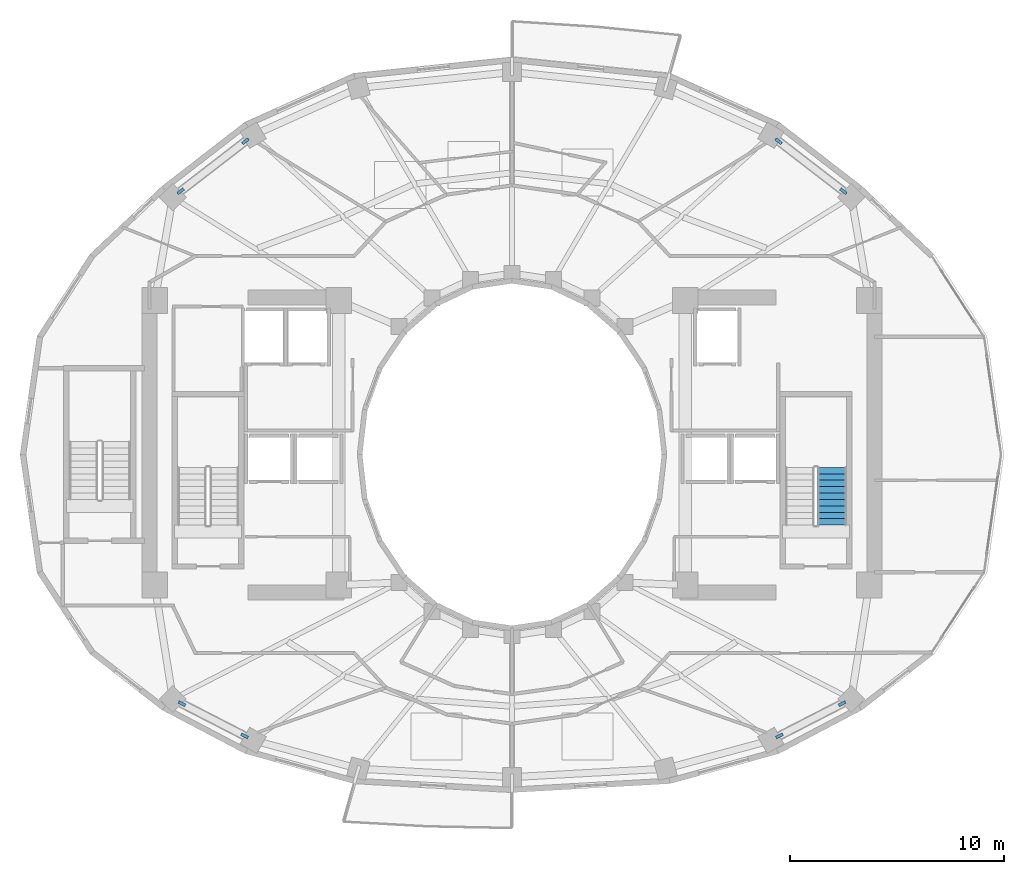
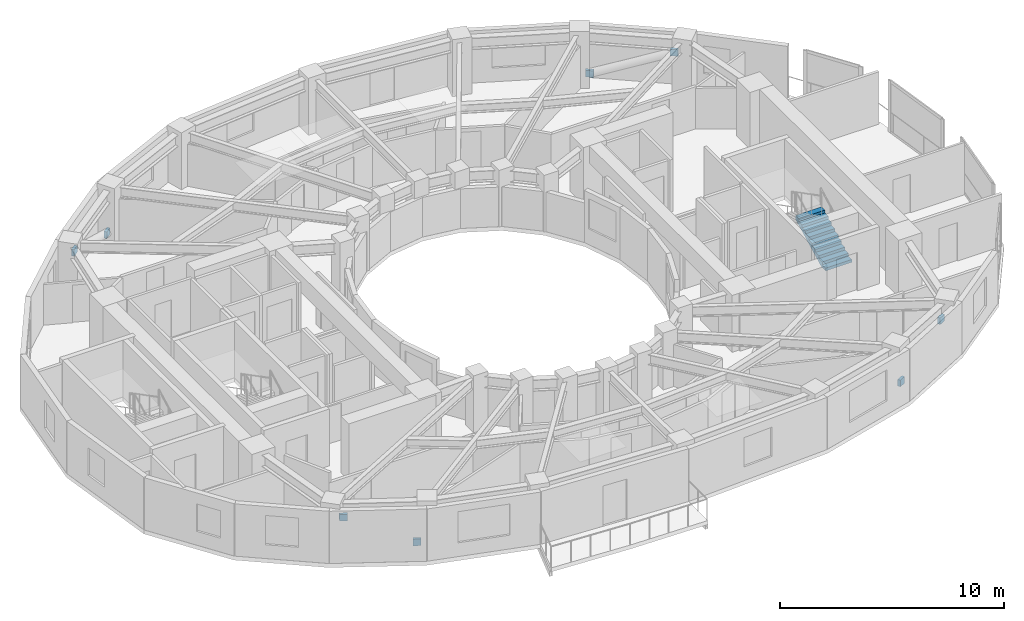
# One storey, part 10 of 13: 8 discrete accessories, 1 stair flight, 1 element without a shape of its own.
"""IFC4 building model written with IfcOpenShell, lengths in metres."""

import ifcopenshell
import ifcopenshell.guid

model = None  # the IFC model being written
_history = None  # IfcOwnerHistory: only IFC2X3 demands one
_inside = {}  # id of a spatial element -> (the spatial element, [elements in it])
_under = {}  # id of a project, library or spatial element -> (it, [spatial elements below it])
_declared = {}  # id of a project -> (the project, [libraries it declares])
_typed = {}  # id of a type object -> (the type object, [elements of that type])
_made_of = {}  # id of a material, layer set ... -> (it, [elements and type objects made of it])


def new_model(schema):
    """Start an empty IFC model of exactly this schema.

    Asked for "IFC4X3", IfcOpenShell would pick the latest addendum, in which some entities
    have other attributes; the version numbers below select the first issue.
    IFC2X3 requires an IfcOwnerHistory on every rooted entity: one is made here for all.
    """
    global model, _history
    if schema == "IFC4X3":
        model = ifcopenshell.file(schema_version=(4, 3, 0, 0))
    else:
        model = ifcopenshell.file(schema=schema)
    _inside.clear()
    _under.clear()
    _declared.clear()
    _typed.clear()
    _made_of.clear()
    _history = None
    if model.schema == "IFC2X3":
        org = make("IfcOrganization", Name="unknown")
        user = make(
            "IfcPersonAndOrganization",
            ThePerson=make("IfcPerson", FamilyName="unknown"),
            TheOrganization=org,
        )
        app = make(
            "IfcApplication",
            ApplicationDeveloper=org,
            Version="unknown",
            ApplicationFullName="unknown",
            ApplicationIdentifier="unknown",
        )
        _history = make(
            "IfcOwnerHistory",
            OwningUser=user,
            OwningApplication=app,
            ChangeAction="ADDED",
            CreationDate=0,
        )
    return model


def make(cls, **values):
    """One entity of the class cls with the attributes given. An attribute that is None is left unset."""
    return model.create_entity(
        cls, **{name: value for name, value in values.items() if value is not None}
    )


def rooted(cls, **values):
    """An entity with a GlobalId (a new one), such as an element, a storey or a relation."""
    return make(cls, GlobalId=ifcopenshell.guid.new(), OwnerHistory=_history, **values)


def si_unit(unit_type, name, prefix=None):
    """IfcSIUnit, for example si_unit("LENGTHUNIT", "METRE", prefix="MILLI")."""
    return make("IfcSIUnit", UnitType=unit_type, Prefix=prefix, Name=name)


def assignment(units):
    """IfcUnitAssignment: the units of a project."""
    return None if units is None else make("IfcUnitAssignment", Units=units)


def point(xyz):
    """IfcCartesianPoint."""
    return None if xyz is None else make("IfcCartesianPoint", Coordinates=xyz)


def direction(xyz):
    """IfcDirection."""
    return None if xyz is None else make("IfcDirection", DirectionRatios=xyz)


def frame(location, z_axis=None, x_axis=None):
    """IfcAxis2Placement3D, a coordinate frame: its origin and axes. An axis left out is left unset."""
    return make(
        "IfcAxis2Placement3D",
        Location=point(location),
        Axis=direction(z_axis),
        RefDirection=direction(x_axis),
    )


def frame_2d(location, x_axis=None):
    """IfcAxis2Placement2D, a coordinate frame in the plane: its origin and x axis."""
    return make(
        "IfcAxis2Placement2D", Location=point(location), RefDirection=direction(x_axis)
    )


def origin():
    """The frame at (0, 0, 0) with its axes left unset."""
    return frame((0.0, 0.0, 0.0))


def origin_2d():
    """The frame at (0, 0) in the plane with its x axis left unset."""
    return frame_2d((0.0, 0.0))


def place(relative_to, where):
    """IfcLocalPlacement: puts the frame where relative to a parent placement (None: the world)."""
    return make(
        "IfcLocalPlacement", PlacementRelTo=relative_to, RelativePlacement=where
    )


def context(
    kind, dimensions, precision=None, world=None, true_north=None, identifier=None
):
    """IfcGeometricRepresentationContext, for example the 3D "Model" context."""
    return make(
        "IfcGeometricRepresentationContext",
        ContextIdentifier=identifier,
        ContextType=kind,
        CoordinateSpaceDimension=dimensions,
        Precision=precision,
        WorldCoordinateSystem=world,
        TrueNorth=true_north,
    )


def subcontext(parent, identifier, kind, view, scale=None):
    """IfcGeometricRepresentationSubContext, for example "Body" below "Model"."""
    return make(
        "IfcGeometricRepresentationSubContext",
        ContextIdentifier=identifier,
        ContextType=kind,
        ParentContext=parent,
        TargetScale=scale,
        TargetView=view,
    )


def project(units=None, contexts=None):
    """IfcProject with its units and contexts."""
    return rooted(
        "IfcProject",
        Name="project",
        RepresentationContexts=contexts,
        UnitsInContext=assignment(units),
    )


def spatial(cls, under=None, at=None, **own):
    """A site, building, storey or space (cls), placed at a placement, below another one or the project."""
    s = rooted(cls, ObjectPlacement=at, **own)
    if under is not None:
        _under.setdefault(under.id(), (under, []))[1].append(s)
    return s


def polyline(points):
    """IfcPolyline through the points."""
    return make("IfcPolyline", Points=[point(p) for p in points])


def profile(cls, at=None, kind="AREA", **sizes):
    """A parametric profile (cls). Its sizes go by their IFC names, for example OverallWidth=200.0."""
    return make(cls, ProfileType=kind, Position=at, **sizes)


def rectangle(**sizes):
    """IfcRectangleProfileDef."""
    return profile("IfcRectangleProfileDef", **sizes)


def outline(outer, holes=None, kind="AREA"):
    """IfcArbitraryClosedProfileDef: a profile drawn as a closed curve; with holes, ...WithVoids."""
    if holes is None:
        return make("IfcArbitraryClosedProfileDef", ProfileType=kind, OuterCurve=outer)
    return make(
        "IfcArbitraryProfileDefWithVoids",
        ProfileType=kind,
        OuterCurve=outer,
        InnerCurves=holes,
    )


def extrude(swept, where, along, depth):
    """IfcExtrudedAreaSolid: the profile swept, set in the frame where, extruded along a direction by depth."""
    return make(
        "IfcExtrudedAreaSolid",
        SweptArea=swept,
        Position=where,
        ExtrudedDirection=direction(along),
        Depth=depth,
    )


def shape(context_of_items, identifier, shape_type, items):
    """IfcShapeRepresentation: the items that make up one representation, for example the "Body"."""
    return make(
        "IfcShapeRepresentation",
        ContextOfItems=context_of_items,
        RepresentationIdentifier=identifier,
        RepresentationType=shape_type,
        Items=items,
    )


def material(Name=None, Category=None):
    """IfcMaterial."""
    return make("IfcMaterial", Name=Name, Category=Category)


def layer(
    of_material, thickness, ventilated=None, Name=None, Category=None, Priority=None
):
    """IfcMaterialLayer: one layer of a wall or slab, of a material (None: an air gap)."""
    return make(
        "IfcMaterialLayer",
        Material=of_material,
        LayerThickness=thickness,
        IsVentilated=ventilated,
        Name=Name,
        Category=Category,
        Priority=Priority,
    )


def layer_set(layers, Name=None):
    """IfcMaterialLayerSet."""
    return make("IfcMaterialLayerSet", MaterialLayers=layers, LayerSetName=Name)


def made_of(thing, what):
    """Note that an element or type object is made of a material, layer set ...; save() writes the relation."""
    if what is not None:
        _made_of.setdefault(what.id(), (what, []))[1].append(thing)
    return thing


def type_object(cls, material=None, **own):
    """A type object (cls), such as IfcWallType, which elements share."""
    return made_of(rooted(cls, **own), material)


def element(
    cls,
    number,
    at=None,
    inside=None,
    cuts=None,
    type_object=None,
    material=None,
    context=None,
    identifier="Body",
    shape_type=None,
    held_by="IfcProductDefinitionShape",
    body=None,
    shapes=None,
    **own,
):
    """One element of the class cls, such as IfcWall. Its Tag is "e" and its number.

    at: its placement. inside: the storey or other place that contains it. cuts: it is an
    opening in that element (IfcRelVoidsElement). A single representation is given by context,
    identifier, shape_type and body (its items); several are given by shapes. held_by: the class
    of the entity that holds the representations. save() writes the other relations.
    """
    e = rooted(cls, Tag="e%d" % number, ObjectPlacement=at, **own)
    if body is not None:
        shapes = [shape(context, identifier, shape_type, body)]
    if shapes is not None:
        e.Representation = make(held_by, Representations=shapes)
    if inside is not None:
        _inside.setdefault(inside.id(), (inside, []))[1].append(e)
    if cuts is not None:
        rooted(
            "IfcRelVoidsElement", RelatingBuildingElement=cuts, RelatedOpeningElement=e
        )
    if type_object is not None:
        _typed.setdefault(type_object.id(), (type_object, []))[1].append(e)
    return made_of(e, material)


def aggregate(whole, parts):
    """IfcRelAggregates: a whole, such as a stair, and the parts it consists of."""
    return rooted("IfcRelAggregates", RelatingObject=whole, RelatedObjects=parts)


def save(model, path):
    """Write the relations noted so far, then the file.

    IfcRelAggregates (storeys below a building ...), IfcRelContainedInSpatialStructure (elements
    in a storey), IfcRelDefinesByType, IfcRelAssociatesMaterial and IfcRelDeclares: one each for
    every whole, place, type object, material and project.
    """
    for whole, parts in _under.values():
        aggregate(whole, parts)
    for where, things in _inside.values():
        rooted(
            "IfcRelContainedInSpatialStructure",
            RelatedElements=things,
            RelatingStructure=where,
        )
    for kind, things in _typed.values():
        rooted("IfcRelDefinesByType", RelatedObjects=things, RelatingType=kind)
    for what, things in _made_of.values():
        rooted("IfcRelAssociatesMaterial", RelatedObjects=things, RelatingMaterial=what)
    for by, libraries in _declared.values():
        rooted("IfcRelDeclares", RelatingContext=by, RelatedDefinitions=libraries)
    model.write(path)


model = new_model("IFC4")

# Units and contexts
model_context = context("Model", 3, precision=1e-05, world=origin(), true_north=direction((0.0, 1.0)))
body_context = subcontext(model_context, "Body", "Model", "MODEL_VIEW")
ifc_project = project(units=[si_unit("LENGTHUNIT", "METRE"), si_unit("AREAUNIT", "SQUARE_METRE"), si_unit("VOLUMEUNIT", "CUBIC_METRE"), si_unit("PLANEANGLEUNIT", "RADIAN"), si_unit("MASSUNIT", "GRAM", prefix="KILO")], contexts=[model_context])

# Site, building, storey
site_placement = place(None, origin())
site = spatial("IfcSite", under=ifc_project, at=site_placement, CompositionType="ELEMENT")
building_placement = place(site_placement, origin())
building = spatial("IfcBuilding", under=site, at=building_placement, Name="Solvane Sanctuary Tower", CompositionType="ELEMENT")
storey_placement = place(building_placement, frame((0.0, 0.0, 156.0)))
storey = spatial("IfcBuildingStorey", under=building, at=storey_placement, Name="L47", CompositionType="ELEMENT", Elevation=156.0)

# Stair, stair flight
ifc_material_1 = material(Name="Concrete C45/55", Category="concrete")
stair_type = type_object("IfcStairType", Name="Stair ST-TOW", PredefinedType="HALF_TURN_STAIR", material=ifc_material_1)
stair_placement = place(storey_placement, origin())
stair = element("IfcStair", 1, at=stair_placement, inside=storey, type_object=stair_type, Name="L47 Exit Stair ST-2 East Core", PredefinedType="HALF_TURN_STAIR")
stair_flight_type = type_object("IfcStairFlightType", Name="StairFlight SF-TOW", PredefinedType="STRAIGHT", material=ifc_material_1)
stair_flight_placement = place(storey_placement, frame((46.965087890625, 19.699951171875, 0.0), z_axis=(0.0, 0.0, 1.0), x_axis=(0.0, 1.0, 0.0)))
stair_flight = element("IfcStairFlight", 2, at=stair_flight_placement, type_object=stair_flight_type, Name="ST-2 flight 1", NumberOfRisers=10, NumberOfTreads=9, PredefinedType="STRAIGHT", RiserHeight=0.155, TreadLength=0.3, context=body_context, shape_type="SweptSolid", body=[
    extrude(outline(polyline([(0.0, 0.0), (0.0, 0.155029296875), (0.300048828125, 0.155029296875), (0.300048828125, 0.31005859375), (0.60009765625, 0.31005859375), (0.60009765625, 0.465087890625), (0.89990234375, 0.465087890625), (0.89990234375, 0.6201171875), (1.199951171875, 0.6201171875), (1.199951171875, 0.77490234375), (1.5, 0.77490234375), (1.5, 0.929931640625), (1.800048828125, 0.929931640625), (1.800048828125, 1.0849609375), (2.10009765625, 1.0849609375), (2.10009765625, 1.239990234375), (2.39990234375, 1.239990234375), (2.39990234375, 1.39501953125), (2.699951171875, 1.39501953125), (2.699951171875, 1.550048828125), (2.699951171875, 1.1923828125), (0.39208984375, 0.0), (0.0, 0.0)])), frame((0.0, 0.675048828125, 0.0), z_axis=(0.0, -1.0, 0.0), x_axis=(1.0, 0.0, 0.0)), (0.0, 0.0, 1.0), 1.35009765625),
])
aggregate(stair, [stair_flight])

# Discrete accessories
ifc_material_2 = material(Name="Steel ASTM A572 Grade 50", Category="steel")
ifc_layer = layer(ifc_material_2, 0.360107421875, Name="Steel ASTM A572 Grade 50")
ifc_layer_set = layer_set([ifc_layer], Name="Steel ASTM A572 Grade 50")
discrete_accessory_type = type_object("IfcDiscreteAccessoryType", Name="Accessory ACC-GUSSET-BRK", PredefinedType="BRACKET", material=ifc_layer_set)
for number, where, z_axis, x_axis, name in (
    (3, (44.46142578125, 37.64794921875, 0.380859375), (0.0, 0.0, 1.0), (0.79207661425, -0.610421687982, 0.0), "L47 Perimeter Braced-Tube Diagonal NE End Gusset Bracket A"),
    (4, (47.493408203125, 35.31103515625, 1.88916015625), (0.0, 0.0, 1.0), (0.79207661425, -0.610421687982, 0.0), "L47 Perimeter Braced-Tube Diagonal NE End Gusset Bracket B"),
    (5, (19.53857421875, 37.64794921875, 0.380859375), (0.0, 0.0, 1.0), (-0.79207661425, -0.610421687982, 0.0), "L47 Perimeter Braced-Tube Diagonal NW End Gusset Bracket A"),
    (6, (16.506591796875, 35.31103515625, 1.88916015625), (0.0, 0.0, 1.0), (-0.79207661425, -0.610421687982, 0.0), "L47 Perimeter Braced-Tube Diagonal NW End Gusset Bracket B"),
    (7, (19.497314453125, 9.848876953125, 0.4013671875), (0.0, 0.0, 1.0), (-0.889256761832, 0.457408364087, 0.0), "L47 Perimeter Braced-Tube Diagonal SW End Gusset Bracket A"),
    (8, (16.567626953125, 11.35546875, 1.85888671875), (0.0, 0.0, 1.0), (-0.889256761832, 0.457408364087, 0.0), "L47 Perimeter Braced-Tube Diagonal SW End Gusset Bracket B"),
    (9, (44.502685546875, 9.848876953125, 0.4013671875), (0.0, 0.0, 1.0), (0.889256761832, 0.457408364087, 0.0), "L47 Perimeter Braced-Tube Diagonal SE End Gusset Bracket A"),
    (10, (47.432373046875, 11.35546875, 1.85888671875), (0.0, 0.0, 1.0), (0.889256761832, 0.457408364087, 0.0), "L47 Perimeter Braced-Tube Diagonal SE End Gusset Bracket B"),
):
    element("IfcDiscreteAccessory", number, at=place(storey_placement, frame(where, z_axis=z_axis, x_axis=x_axis)), inside=storey, type_object=discrete_accessory_type, Name=name, PredefinedType="BRACKET", context=body_context, shape_type="SweptSolid", body=[
        extrude(rectangle(XDim=0.360107421875, YDim=0.139892578125, at=origin_2d()), origin(), (0.0, 0.0, 1.0), 0.360107421875),
    ])

save(model, "model.ifc")
